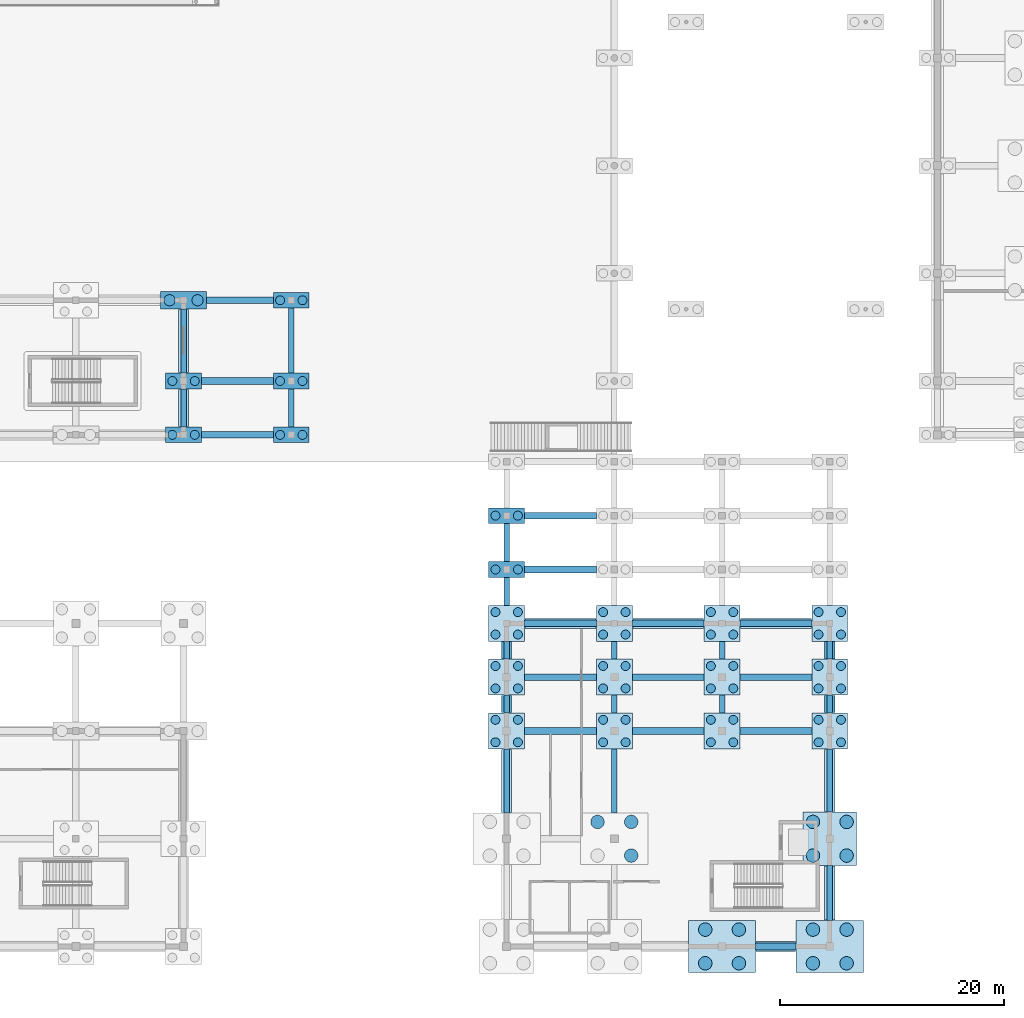
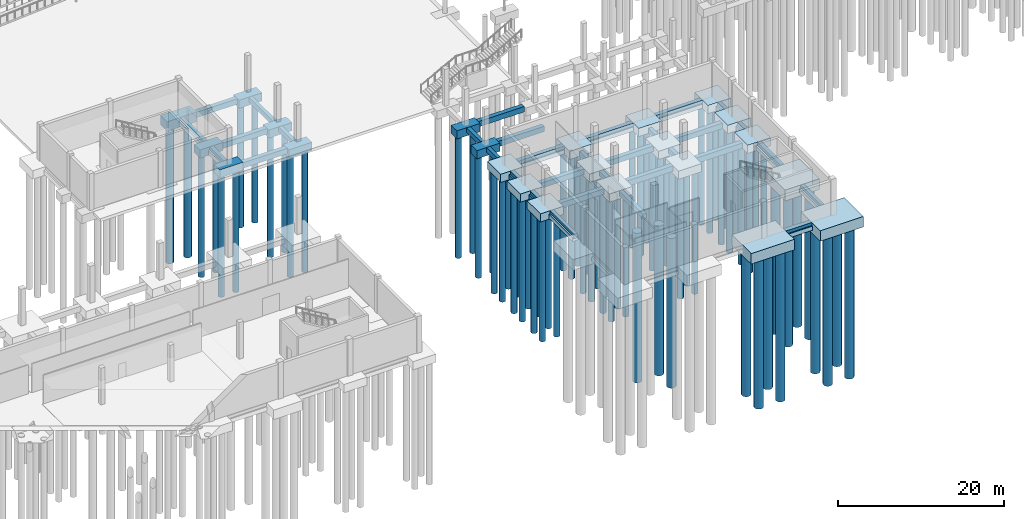
# One storey, part 3 of 41: 79 piles, 69 footings.
"""IFC4 building model written with IfcOpenShell, lengths in metres."""

from ifc_helpers import new_model, si_unit, direction, frame, origin, origin_2d, place, context, subcontext, project, spatial, rectangle, circle, extrude, material, material_profile, profile_set, type_object, element, save


model = new_model("IFC4")

# Units and contexts
model_context = context("Model", 3, precision=1e-05, world=origin(), true_north=direction((0.0, 1.0)))
body_context = subcontext(model_context, "Body", "Model", "MODEL_VIEW")
ifc_project = project(units=[si_unit("LENGTHUNIT", "METRE"), si_unit("AREAUNIT", "SQUARE_METRE"), si_unit("VOLUMEUNIT", "CUBIC_METRE"), si_unit("PLANEANGLEUNIT", "RADIAN"), si_unit("MASSUNIT", "GRAM", prefix="KILO")], contexts=[model_context])

# Site, building, storey
site_placement = place(None, origin())
site = spatial("IfcSite", under=ifc_project, at=site_placement, CompositionType="ELEMENT")
building_placement = place(site_placement, origin())
building = spatial("IfcBuilding", under=site, at=building_placement, Name="Shalvenor Court Art Gallery", CompositionType="ELEMENT")
storey_placement = place(building_placement, frame((0.0, 0.0, -5.39990234375)))
storey = spatial("IfcBuildingStorey", under=building, at=storey_placement, Name="B01", CompositionType="ELEMENT", Elevation=-5.39990234375)

# Footings
ifc_material_1 = material(Name="Concrete C35/45", Category="concrete")
footing_type_1 = type_object("IfcFootingType", Name="GB-01", PredefinedType="FOOTING_BEAM", material=ifc_material_1)
footing_1_placement = place(storey_placement, frame((120.0, 0.0, -0.80029296875), z_axis=(0.0, 0.0, 1.0), x_axis=(1.0, 0.0, 0.0)))
element("IfcFooting", 1, at=footing_1_placement, inside=storey, type_object=footing_type_1, Name="B01 Ground Tie Beam FTG-343", PredefinedType="FOOTING_BEAM", context=body_context, shape_type="SweptSolid", body=[
    extrude(rectangle(XDim=3.60009765625, YDim=0.60009765625, at=origin_2d()), origin(), (0.0, 0.0, 1.0), 0.800048828125),
])
for number, where, z_axis, x_axis, name in (
    (2, (100.800048828125, 19.199951171875, -1.240234375), (0.0, 0.0, 1.0), (1.0, 0.0, 0.0), "B01 Ground Tie Beam FTG-359"),
    (3, (110.39990234375, 19.199951171875, -1.240234375), (0.0, 0.0, 1.0), (1.0, 0.0, 0.0), "B01 Ground Tie Beam FTG-360"),
    (4, (120.0, 19.199951171875, -1.240234375), (0.0, 0.0, 1.0), (1.0, 0.0, 0.0), "B01 Ground Tie Beam FTG-361"),
    (5, (100.800048828125, 24.0, -1.240234375), (0.0, 0.0, 1.0), (1.0, 0.0, 0.0), "B01 Ground Tie Beam FTG-362"),
    (6, (110.39990234375, 24.0, -1.240234375), (0.0, 0.0, 1.0), (1.0, 0.0, 0.0), "B01 Ground Tie Beam FTG-363"),
    (7, (120.0, 24.0, -1.240234375), (0.0, 0.0, 1.0), (1.0, 0.0, 0.0), "B01 Ground Tie Beam FTG-364"),
    (8, (100.800048828125, 28.800048828125, -0.80029296875), (0.0, 0.0, 1.0), (1.0, 0.0, 0.0), "B01 Ground Tie Beam FTG-372"),
    (9, (110.39990234375, 28.800048828125, -0.80029296875), (0.0, 0.0, 1.0), (1.0, 0.0, 0.0), "B01 Ground Tie Beam FTG-373"),
    (10, (120.0, 28.800048828125, -0.80029296875), (0.0, 0.0, 1.0), (1.0, 0.0, 0.0), "B01 Ground Tie Beam FTG-374"),
    (11, (100.800048828125, 33.60009765625, -0.80029296875), (0.0, 0.0, 1.0), (1.0, 0.0, 0.0), "B01 Ground Tie Beam FTG-375"),
    (12, (100.800048828125, 38.39990234375, -0.80029296875), (0.0, 0.0, 1.0), (1.0, 0.0, 0.0), "B01 Ground Tie Beam FTG-378"),
    (13, (72.0, 45.60009765625, -1.22998046875), (0.0, 0.0, 1.0), (1.0, 0.0, 0.0), "B01 Ground Tie Beam FTG-386"),
    (14, (72.0, 50.39990234375, -1.22998046875), (0.0, 0.0, 1.0), (1.0, 0.0, 0.0), "B01 Ground Tie Beam FTG-392"),
):
    element("IfcFooting", number, at=place(storey_placement, frame(where, z_axis=z_axis, x_axis=x_axis)), inside=storey, type_object=footing_type_1, Name=name, PredefinedType="FOOTING_BEAM", context=body_context, shape_type="SweptSolid", body=[
        extrude(rectangle(XDim=6.39990234375, YDim=0.60009765625, at=origin_2d()), origin(), (0.0, 0.0, 1.0), 0.800048828125),
    ])
footing_2_placement = place(storey_placement, frame((72.22509765625, 57.60009765625, -1.22998046875), z_axis=(0.0, 0.0, 1.0), x_axis=(1.0, 0.0, 0.0)))
element("IfcFooting", 15, at=footing_2_placement, inside=storey, type_object=footing_type_1, Name="B01 Ground Tie Beam FTG-400", PredefinedType="FOOTING_BEAM", context=body_context, shape_type="SweptSolid", body=[
    extrude(rectangle(XDim=5.949951171875, YDim=0.60009765625, at=origin_2d()), origin(), (0.0, 0.0, 1.0), 0.800048828125),
])
ifc_material_2 = material(Name="Concrete C35/45", Category="concrete")
footing_type_2 = type_object("IfcFootingType", Name="GB-02", PredefinedType="FOOTING_BEAM", material=ifc_material_2)
footing_3_placement = place(storey_placement, frame((67.199951171875, 48.0, -0.7001953125), z_axis=(0.0, 0.0, 1.0), x_axis=(0.0, 1.0, 0.0)))
element("IfcFooting", 16, at=footing_3_placement, inside=storey, type_object=footing_type_2, Name="B01 Ground Tie Beam FTG-245", PredefinedType="FOOTING_BEAM", context=body_context, shape_type="SweptSolid", body=[
    extrude(rectangle(XDim=3.39990234375, YDim=0.5, at=origin_2d()), origin(), (0.0, 0.0, 1.0), 0.699951171875),
])
footing_4_placement = place(storey_placement, frame((67.199951171875, 53.949951171875, -0.7001953125), z_axis=(0.0, 0.0, 1.0), x_axis=(0.0, 1.0, 0.0)))
element("IfcFooting", 17, at=footing_4_placement, inside=storey, type_object=footing_type_2, Name="B01 Ground Tie Beam FTG-246", PredefinedType="FOOTING_BEAM", context=body_context, shape_type="SweptSolid", body=[
    extrude(rectangle(XDim=5.699951171875, YDim=0.5, at=origin_2d()), origin(), (0.0, 0.0, 1.0), 0.699951171875),
])
footing_5_placement = place(storey_placement, frame((76.800048828125, 48.0, -1.1298828125), z_axis=(0.0, 0.0, 1.0), x_axis=(0.0, 1.0, 0.0)))
element("IfcFooting", 18, at=footing_5_placement, inside=storey, type_object=footing_type_2, Name="B01 Ground Tie Beam FTG-250", PredefinedType="FOOTING_BEAM", context=body_context, shape_type="SweptSolid", body=[
    extrude(rectangle(XDim=3.39990234375, YDim=0.5, at=origin_2d()), origin(), (0.0, 0.0, 1.0), 0.699951171875),
])
footing_6_placement = place(storey_placement, frame((76.800048828125, 54.0, -1.1298828125), z_axis=(0.0, 0.0, 1.0), x_axis=(0.0, 1.0, 0.0)))
element("IfcFooting", 19, at=footing_6_placement, inside=storey, type_object=footing_type_2, Name="B01 Ground Tie Beam FTG-251", PredefinedType="FOOTING_BEAM", context=body_context, shape_type="SweptSolid", body=[
    extrude(rectangle(XDim=5.800048828125, YDim=0.5, at=origin_2d()), origin(), (0.0, 0.0, 1.0), 0.699951171875),
])
footing_7_placement = place(storey_placement, frame((96.0, 14.75, -0.7001953125), z_axis=(0.0, 0.0, 1.0), x_axis=(0.0, 1.0, 0.0)))
element("IfcFooting", 20, at=footing_7_placement, inside=storey, type_object=footing_type_2, Name="B01 Ground Tie Beam FTG-259", PredefinedType="FOOTING_BEAM", context=body_context, shape_type="SweptSolid", body=[
    extrude(rectangle(XDim=5.699951171875, YDim=0.5, at=origin_2d()), origin(), (0.0, 0.0, 1.0), 0.699951171875),
])
for number, where, z_axis, x_axis, name in (
    (21, (96.0, 21.60009765625, -0.7001953125), (0.0, 0.0, 1.0), (0.0, 1.0, 0.0), "B01 Ground Tie Beam FTG-260"),
    (22, (96.0, 26.39990234375, -0.7001953125), (0.0, 0.0, 1.0), (0.0, 1.0, 0.0), "B01 Ground Tie Beam FTG-261"),
):
    element("IfcFooting", number, at=place(storey_placement, frame(where, z_axis=z_axis, x_axis=x_axis)), inside=storey, type_object=footing_type_2, Name=name, PredefinedType="FOOTING_BEAM", context=body_context, shape_type="SweptSolid", body=[
        extrude(rectangle(XDim=1.60009765625, YDim=0.5, at=origin_2d()), origin(), (0.0, 0.0, 1.0), 0.699951171875),
    ])
footing_8_placement = place(storey_placement, frame((96.0, 31.64990234375, -0.7001953125), z_axis=(0.0, 0.0, 1.0), x_axis=(0.0, 1.0, 0.0)))
element("IfcFooting", 23, at=footing_8_placement, inside=storey, type_object=footing_type_2, Name="B01 Ground Tie Beam FTG-262", PredefinedType="FOOTING_BEAM", context=body_context, shape_type="SweptSolid", body=[
    extrude(rectangle(XDim=2.5, YDim=0.5, at=origin_2d()), origin(), (0.0, 0.0, 1.0), 0.699951171875),
])
footing_9_placement = place(storey_placement, frame((96.0, 36.0, -0.7001953125), z_axis=(0.0, 0.0, 1.0), x_axis=(0.0, 1.0, 0.0)))
element("IfcFooting", 24, at=footing_9_placement, inside=storey, type_object=footing_type_2, Name="B01 Ground Tie Beam FTG-263", PredefinedType="FOOTING_BEAM", context=body_context, shape_type="SweptSolid", body=[
    extrude(rectangle(XDim=3.39990234375, YDim=0.5, at=origin_2d()), origin(), (0.0, 0.0, 1.0), 0.699951171875),
])
footing_10_placement = place(storey_placement, frame((105.60009765625, 14.75, -1.14013671875), z_axis=(0.0, 0.0, 1.0), x_axis=(0.0, 1.0, 0.0)))
element("IfcFooting", 25, at=footing_10_placement, inside=storey, type_object=footing_type_2, Name="B01 Ground Tie Beam FTG-269", PredefinedType="FOOTING_BEAM", context=body_context, shape_type="SweptSolid", body=[
    extrude(rectangle(XDim=5.699951171875, YDim=0.5, at=origin_2d()), origin(), (0.0, 0.0, 1.0), 0.699951171875),
])
for number, where, z_axis, x_axis, name in (
    (26, (105.60009765625, 21.60009765625, -1.14013671875), (0.0, 0.0, 1.0), (0.0, 1.0, 0.0), "B01 Ground Tie Beam FTG-270"),
    (27, (105.60009765625, 26.39990234375, -1.14013671875), (0.0, 0.0, 1.0), (0.0, 1.0, 0.0), "B01 Ground Tie Beam FTG-271"),
    (28, (115.199951171875, 21.60009765625, -1.14013671875), (0.0, 0.0, 1.0), (0.0, 1.0, 0.0), "B01 Ground Tie Beam FTG-284"),
    (29, (115.199951171875, 26.39990234375, -1.14013671875), (0.0, 0.0, 1.0), (0.0, 1.0, 0.0), "B01 Ground Tie Beam FTG-285"),
):
    element("IfcFooting", number, at=place(storey_placement, frame(where, z_axis=z_axis, x_axis=x_axis)), inside=storey, type_object=footing_type_2, Name=name, PredefinedType="FOOTING_BEAM", context=body_context, shape_type="SweptSolid", body=[
        extrude(rectangle(XDim=1.60009765625, YDim=0.5, at=origin_2d()), origin(), (0.0, 0.0, 1.0), 0.699951171875),
    ])
footing_11_placement = place(storey_placement, frame((124.800048828125, 4.75, -0.7001953125), z_axis=(0.0, 0.0, 1.0), x_axis=(0.0, 1.0, 0.0)))
element("IfcFooting", 30, at=footing_11_placement, inside=storey, type_object=footing_type_2, Name="B01 Ground Tie Beam FTG-290", PredefinedType="FOOTING_BEAM", context=body_context, shape_type="SweptSolid", body=[
    extrude(rectangle(XDim=4.89990234375, YDim=0.5, at=origin_2d()), origin(), (0.0, 0.0, 1.0), 0.699951171875),
])
footing_12_placement = place(storey_placement, frame((124.800048828125, 14.800048828125, -0.7001953125), z_axis=(0.0, 0.0, 1.0), x_axis=(0.0, 1.0, 0.0)))
element("IfcFooting", 31, at=footing_12_placement, inside=storey, type_object=footing_type_2, Name="B01 Ground Tie Beam FTG-291", PredefinedType="FOOTING_BEAM", context=body_context, shape_type="SweptSolid", body=[
    extrude(rectangle(XDim=5.60009765625, YDim=0.5, at=origin_2d()), origin(), (0.0, 0.0, 1.0), 0.699951171875),
])
for number, where, z_axis, x_axis, name in (
    (32, (124.800048828125, 21.60009765625, -0.7001953125), (0.0, 0.0, 1.0), (0.0, 1.0, 0.0), "B01 Ground Tie Beam FTG-292"),
    (33, (124.800048828125, 26.39990234375, -0.7001953125), (0.0, 0.0, 1.0), (0.0, 1.0, 0.0), "B01 Ground Tie Beam FTG-293"),
):
    element("IfcFooting", number, at=place(storey_placement, frame(where, z_axis=z_axis, x_axis=x_axis)), inside=storey, type_object=footing_type_2, Name=name, PredefinedType="FOOTING_BEAM", context=body_context, shape_type="SweptSolid", body=[
        extrude(rectangle(XDim=1.60009765625, YDim=0.5, at=origin_2d()), origin(), (0.0, 0.0, 1.0), 0.699951171875),
    ])
ifc_material_3 = material(Name="Concrete C35/45", Category="concrete")
footing_type_3 = type_object("IfcFootingType", Name="PC-01", PredefinedType="PILE_CAP", material=ifc_material_3)
for number, where, z_axis, x_axis, name in (
    (34, (67.199951171875, 45.60009765625, -1.2001953125), (0.0, 0.0, 1.0), (1.0, 0.0, 0.0), "B01 Pile Cap FTG-075"),
    (35, (67.199951171875, 50.39990234375, -1.2001953125), (0.0, 0.0, 1.0), (1.0, 0.0, 0.0), "B01 Pile Cap FTG-076"),
    (36, (76.800048828125, 45.60009765625, -1.6298828125), (0.0, 0.0, 1.0), (1.0, 0.0, 0.0), "B01 Pile Cap FTG-082"),
    (37, (76.800048828125, 50.39990234375, -1.6298828125), (0.0, 0.0, 1.0), (1.0, 0.0, 0.0), "B01 Pile Cap FTG-083"),
    (38, (76.800048828125, 57.60009765625, -1.6298828125), (0.0, 0.0, 1.0), (1.0, 0.0, 0.0), "B01 Pile Cap FTG-084"),
    (39, (96.0, 33.60009765625, -1.2001953125), (0.0, 0.0, 1.0), (1.0, 0.0, 0.0), "B01 Pile Cap FTG-098"),
    (40, (96.0, 38.39990234375, -1.2001953125), (0.0, 0.0, 1.0), (1.0, 0.0, 0.0), "B01 Pile Cap FTG-099"),
):
    element("IfcFooting", number, at=place(storey_placement, frame(where, z_axis=z_axis, x_axis=x_axis)), inside=storey, type_object=footing_type_3, Name=name, PredefinedType="PILE_CAP", context=body_context, shape_type="SweptSolid", body=[
        extrude(rectangle(XDim=3.199951171875, YDim=1.39990234375, at=origin_2d()), origin(), (0.0, 0.0, 1.0), 1.199951171875),
    ])
ifc_material_4 = material(Name="Concrete C35/45", Category="concrete")
footing_type_4 = type_object("IfcFootingType", Name="PC-02", PredefinedType="PILE_CAP", material=ifc_material_4)
for number, where, z_axis, x_axis, name in (
    (41, (96.0, 19.199951171875, -1.2001953125), (0.0, 0.0, 1.0), (1.0, 0.0, 0.0), "B01 Pile Cap FTG-095"),
    (42, (96.0, 24.0, -1.2001953125), (0.0, 0.0, 1.0), (1.0, 0.0, 0.0), "B01 Pile Cap FTG-096"),
    (43, (96.0, 28.800048828125, -1.2001953125), (0.0, 0.0, 1.0), (1.0, 0.0, 0.0), "B01 Pile Cap FTG-097"),
    (44, (105.60009765625, 19.199951171875, -1.64013671875), (0.0, 0.0, 1.0), (1.0, 0.0, 0.0), "B01 Pile Cap FTG-107"),
    (45, (105.60009765625, 24.0, -1.64013671875), (0.0, 0.0, 1.0), (1.0, 0.0, 0.0), "B01 Pile Cap FTG-108"),
    (46, (105.60009765625, 28.800048828125, -1.2001953125), (0.0, 0.0, 1.0), (1.0, 0.0, 0.0), "B01 Pile Cap FTG-109"),
    (47, (115.199951171875, 19.199951171875, -1.64013671875), (0.0, 0.0, 1.0), (1.0, 0.0, 0.0), "B01 Pile Cap FTG-123"),
    (48, (115.199951171875, 24.0, -1.64013671875), (0.0, 0.0, 1.0), (1.0, 0.0, 0.0), "B01 Pile Cap FTG-124"),
    (49, (115.199951171875, 28.800048828125, -1.2001953125), (0.0, 0.0, 1.0), (1.0, 0.0, 0.0), "B01 Pile Cap FTG-125"),
    (50, (124.800048828125, 19.199951171875, -1.2001953125), (0.0, 0.0, 1.0), (1.0, 0.0, 0.0), "B01 Pile Cap FTG-134"),
    (51, (124.800048828125, 24.0, -1.2001953125), (0.0, 0.0, 1.0), (1.0, 0.0, 0.0), "B01 Pile Cap FTG-135"),
    (52, (124.800048828125, 28.800048828125, -1.2001953125), (0.0, 0.0, 1.0), (1.0, 0.0, 0.0), "B01 Pile Cap FTG-136"),
):
    element("IfcFooting", number, at=place(storey_placement, frame(where, z_axis=z_axis, x_axis=x_axis)), inside=storey, type_object=footing_type_4, Name=name, PredefinedType="PILE_CAP", context=body_context, shape_type="SweptSolid", body=[
        extrude(rectangle(XDim=3.199951171875, YDim=3.199951171875, at=origin_2d()), origin(), (0.0, 0.0, 1.0), 1.199951171875),
    ])
ifc_material_5 = material(Name="Concrete C35/45", Category="concrete")
footing_type_5 = type_object("IfcFootingType", Name="PC-05", PredefinedType="PILE_CAP", material=ifc_material_5)
footing_13_placement = place(storey_placement, frame((67.199951171875, 57.60009765625, -1.400146484375), z_axis=(0.0, 0.0, 1.0), x_axis=(1.0, 0.0, 0.0)))
element("IfcFooting", 53, at=footing_13_placement, inside=storey, type_object=footing_type_5, Name="B01 Pile Cap FTG-077", PredefinedType="PILE_CAP", context=body_context, shape_type="SweptSolid", body=[
    extrude(rectangle(XDim=4.10009765625, YDim=1.60009765625, at=origin_2d()), origin(), (0.0, 0.0, 1.0), 1.39990234375),
])
ifc_material_6 = material(Name="Concrete C35/45", Category="concrete")
footing_type_6 = type_object("IfcFootingType", Name="PC-08", PredefinedType="PILE_CAP", material=ifc_material_6)
footing_14_placement = place(storey_placement, frame((124.800048828125, 9.60009765625, -1.60009765625), z_axis=(0.0, 0.0, 1.0), x_axis=(1.0, 0.0, 0.0)))
element("IfcFooting", 54, at=footing_14_placement, inside=storey, type_object=footing_type_6, Name="B01 Pile Cap FTG-133", PredefinedType="PILE_CAP", context=body_context, shape_type="SweptSolid", body=[
    extrude(rectangle(XDim=4.800048828125, YDim=4.800048828125, at=origin_2d()), origin(), (0.0, 0.0, 1.0), 1.60009765625),
])
ifc_material_7 = material(Name="Concrete C35/45", Category="concrete")
footing_type_7 = type_object("IfcFootingType", Name="PC-09", PredefinedType="PILE_CAP", material=ifc_material_7)
for number, where, z_axis, x_axis, name in (
    (55, (115.199951171875, 0.0, -1.55029296875), (0.0, 0.0, 1.0), (1.0, 0.0, 0.0), "B01 Pile Cap FTG-122"),
    (56, (124.800048828125, 0.0, -1.55029296875), (0.0, 0.0, 1.0), (1.0, 0.0, 0.0), "B01 Pile Cap FTG-132"),
):
    element("IfcFooting", number, at=place(storey_placement, frame(where, z_axis=z_axis, x_axis=x_axis)), inside=storey, type_object=footing_type_7, Name=name, PredefinedType="PILE_CAP", context=body_context, shape_type="SweptSolid", body=[
        extrude(rectangle(XDim=6.0, YDim=4.60009765625, at=origin_2d()), origin(), (0.0, 0.0, 1.0), 1.550048828125),
    ])

# Piles
ifc_material_8 = material(Name="Concrete C35/45", Category="concrete")
ifc_material_profile_1 = material_profile(ifc_material_8, circle(Radius=0.5, at=origin_2d()), Name="PILE 1000")
ifc_profile_set_1 = profile_set([ifc_material_profile_1], Name="Concrete C35/45")
pile_type_1 = type_object("IfcPileType", Name="PL-1000", PredefinedType="BORED", material=ifc_profile_set_1)
for number, where, z_axis, x_axis, name in (
    (57, (65.949951171875, 57.60009765625, -1.300048828125), (0.0, 0.0, -1.0), (1.0, 0.0, 0.0), "B01 Bored Pile PIL-PL-1000-0259"),
    (58, (68.449951171875, 57.60009765625, -1.300048828125), (0.0, 0.0, -1.0), (1.0, 0.0, 0.0), "B01 Bored Pile PIL-PL-1000-0260"),
):
    element("IfcPile", number, at=place(storey_placement, frame(where, z_axis=z_axis, x_axis=x_axis)), inside=storey, type_object=pile_type_1, Name=name, PredefinedType="BORED", context=body_context, shape_type="SweptSolid", body=[
        extrude(circle(Radius=0.5, at=origin_2d()), origin(), (0.0, 0.0, 1.0), 20.0),
    ])
ifc_material_9 = material(Name="Concrete C35/45", Category="concrete")
ifc_material_profile_2 = material_profile(ifc_material_9, circle(Radius=0.60009765625, at=origin_2d()), Name="PILE 1200")
ifc_profile_set_2 = profile_set([ifc_material_profile_2], Name="Concrete C35/45")
pile_type_2 = type_object("IfcPileType", Name="PL-1200", PredefinedType="BORED", material=ifc_profile_set_2)
for number, where, z_axis, x_axis, name in (
    (59, (107.10009765625, 8.10009765625, -1.89013671875), (0.0, 0.0, -1.0), (1.0, 0.0, 0.0), "B01 Bored Pile PIL-PL-1200-0362"),
    (60, (104.10009765625, 11.10009765625, -1.89013671875), (0.0, 0.0, -1.0), (1.0, 0.0, 0.0), "B01 Bored Pile PIL-PL-1200-0363"),
    (61, (107.10009765625, 11.10009765625, -1.89013671875), (0.0, 0.0, -1.0), (1.0, 0.0, 0.0), "B01 Bored Pile PIL-PL-1200-0364"),
    (62, (113.699951171875, -1.5, -1.4501953125), (0.0, 0.0, -1.0), (1.0, 0.0, 0.0), "B01 Bored Pile PIL-PL-1200-0409"),
    (63, (116.699951171875, -1.5, -1.4501953125), (0.0, 0.0, -1.0), (1.0, 0.0, 0.0), "B01 Bored Pile PIL-PL-1200-0410"),
    (64, (113.699951171875, 1.5, -1.4501953125), (0.0, 0.0, -1.0), (1.0, 0.0, 0.0), "B01 Bored Pile PIL-PL-1200-0411"),
    (65, (116.699951171875, 1.5, -1.4501953125), (0.0, 0.0, -1.0), (1.0, 0.0, 0.0), "B01 Bored Pile PIL-PL-1200-0412"),
    (66, (123.300048828125, -1.5, -1.4501953125), (0.0, 0.0, -1.0), (1.0, 0.0, 0.0), "B01 Bored Pile PIL-PL-1200-0443"),
    (67, (126.300048828125, -1.5, -1.4501953125), (0.0, 0.0, -1.0), (1.0, 0.0, 0.0), "B01 Bored Pile PIL-PL-1200-0444"),
    (68, (123.300048828125, 1.5, -1.4501953125), (0.0, 0.0, -1.0), (1.0, 0.0, 0.0), "B01 Bored Pile PIL-PL-1200-0445"),
    (69, (126.300048828125, 1.5, -1.4501953125), (0.0, 0.0, -1.0), (1.0, 0.0, 0.0), "B01 Bored Pile PIL-PL-1200-0446"),
    (70, (123.300048828125, 8.10009765625, -1.5), (0.0, 0.0, -1.0), (1.0, 0.0, 0.0), "B01 Bored Pile PIL-PL-1200-0447"),
    (71, (126.300048828125, 8.10009765625, -1.5), (0.0, 0.0, -1.0), (1.0, 0.0, 0.0), "B01 Bored Pile PIL-PL-1200-0448"),
    (72, (123.300048828125, 11.10009765625, -1.5), (0.0, 0.0, -1.0), (1.0, 0.0, 0.0), "B01 Bored Pile PIL-PL-1200-0449"),
    (73, (126.300048828125, 11.10009765625, -1.5), (0.0, 0.0, -1.0), (1.0, 0.0, 0.0), "B01 Bored Pile PIL-PL-1200-0450"),
):
    element("IfcPile", number, at=place(storey_placement, frame(where, z_axis=z_axis, x_axis=x_axis)), inside=storey, type_object=pile_type_2, Name=name, PredefinedType="BORED", context=body_context, shape_type="SweptSolid", body=[
        extrude(circle(Radius=0.60009765625, at=origin_2d()), origin(), (0.0, 0.0, 1.0), 22.0),
    ])
ifc_material_10 = material(Name="Concrete C35/45", Category="concrete")
ifc_material_profile_3 = material_profile(ifc_material_10, circle(Radius=0.39990234375, at=origin_2d()), Name="PILE 800")
ifc_profile_set_3 = profile_set([ifc_material_profile_3], Name="Concrete C35/45")
pile_type_3 = type_object("IfcPileType", Name="PL-800", PredefinedType="BORED", material=ifc_profile_set_3)
for number, where, z_axis, x_axis, name in (
    (74, (66.199951171875, 45.60009765625, -1.10009765625), (0.0, 0.0, -1.0), (1.0, 0.0, 0.0), "B01 Bored Pile PIL-PL-800-0255"),
    (75, (68.199951171875, 45.60009765625, -1.10009765625), (0.0, 0.0, -1.0), (1.0, 0.0, 0.0), "B01 Bored Pile PIL-PL-800-0256"),
    (76, (66.199951171875, 50.39990234375, -1.10009765625), (0.0, 0.0, -1.0), (1.0, 0.0, 0.0), "B01 Bored Pile PIL-PL-800-0257"),
    (77, (68.199951171875, 50.39990234375, -1.10009765625), (0.0, 0.0, -1.0), (1.0, 0.0, 0.0), "B01 Bored Pile PIL-PL-800-0258"),
    (78, (75.800048828125, 45.60009765625, -1.530029296875), (0.0, 0.0, -1.0), (1.0, 0.0, 0.0), "B01 Bored Pile PIL-PL-800-0277"),
    (79, (77.800048828125, 45.60009765625, -1.530029296875), (0.0, 0.0, -1.0), (1.0, 0.0, 0.0), "B01 Bored Pile PIL-PL-800-0278"),
    (80, (75.800048828125, 50.39990234375, -1.530029296875), (0.0, 0.0, -1.0), (1.0, 0.0, 0.0), "B01 Bored Pile PIL-PL-800-0279"),
    (81, (77.800048828125, 50.39990234375, -1.530029296875), (0.0, 0.0, -1.0), (1.0, 0.0, 0.0), "B01 Bored Pile PIL-PL-800-0280"),
    (82, (75.800048828125, 57.60009765625, -1.530029296875), (0.0, 0.0, -1.0), (1.0, 0.0, 0.0), "B01 Bored Pile PIL-PL-800-0281"),
    (83, (77.800048828125, 57.60009765625, -1.530029296875), (0.0, 0.0, -1.0), (1.0, 0.0, 0.0), "B01 Bored Pile PIL-PL-800-0282"),
    (84, (95.0, 18.199951171875, -1.10009765625), (0.0, 0.0, -1.0), (1.0, 0.0, 0.0), "B01 Bored Pile PIL-PL-800-0323"),
    (85, (97.0, 18.199951171875, -1.10009765625), (0.0, 0.0, -1.0), (1.0, 0.0, 0.0), "B01 Bored Pile PIL-PL-800-0324"),
    (86, (95.0, 20.199951171875, -1.10009765625), (0.0, 0.0, -1.0), (1.0, 0.0, 0.0), "B01 Bored Pile PIL-PL-800-0325"),
    (87, (97.0, 20.199951171875, -1.10009765625), (0.0, 0.0, -1.0), (1.0, 0.0, 0.0), "B01 Bored Pile PIL-PL-800-0326"),
    (88, (95.0, 23.0, -1.10009765625), (0.0, 0.0, -1.0), (1.0, 0.0, 0.0), "B01 Bored Pile PIL-PL-800-0327"),
    (89, (97.0, 23.0, -1.10009765625), (0.0, 0.0, -1.0), (1.0, 0.0, 0.0), "B01 Bored Pile PIL-PL-800-0328"),
    (90, (95.0, 25.0, -1.10009765625), (0.0, 0.0, -1.0), (1.0, 0.0, 0.0), "B01 Bored Pile PIL-PL-800-0329"),
    (91, (97.0, 25.0, -1.10009765625), (0.0, 0.0, -1.0), (1.0, 0.0, 0.0), "B01 Bored Pile PIL-PL-800-0330"),
    (92, (95.0, 27.800048828125, -1.10009765625), (0.0, 0.0, -1.0), (1.0, 0.0, 0.0), "B01 Bored Pile PIL-PL-800-0331"),
    (93, (97.0, 27.800048828125, -1.10009765625), (0.0, 0.0, -1.0), (1.0, 0.0, 0.0), "B01 Bored Pile PIL-PL-800-0332"),
    (94, (95.0, 29.800048828125, -1.10009765625), (0.0, 0.0, -1.0), (1.0, 0.0, 0.0), "B01 Bored Pile PIL-PL-800-0333"),
    (95, (97.0, 29.800048828125, -1.10009765625), (0.0, 0.0, -1.0), (1.0, 0.0, 0.0), "B01 Bored Pile PIL-PL-800-0334"),
    (96, (95.0, 33.60009765625, -1.10009765625), (0.0, 0.0, -1.0), (1.0, 0.0, 0.0), "B01 Bored Pile PIL-PL-800-0335"),
    (97, (97.0, 33.60009765625, -1.10009765625), (0.0, 0.0, -1.0), (1.0, 0.0, 0.0), "B01 Bored Pile PIL-PL-800-0336"),
    (98, (95.0, 38.39990234375, -1.10009765625), (0.0, 0.0, -1.0), (1.0, 0.0, 0.0), "B01 Bored Pile PIL-PL-800-0337"),
    (99, (97.0, 38.39990234375, -1.10009765625), (0.0, 0.0, -1.0), (1.0, 0.0, 0.0), "B01 Bored Pile PIL-PL-800-0338"),
    (100, (104.60009765625, 18.199951171875, -1.5400390625), (0.0, 0.0, -1.0), (1.0, 0.0, 0.0), "B01 Bored Pile PIL-PL-800-0365"),
    (101, (106.60009765625, 18.199951171875, -1.5400390625), (0.0, 0.0, -1.0), (1.0, 0.0, 0.0), "B01 Bored Pile PIL-PL-800-0366"),
    (102, (104.60009765625, 20.199951171875, -1.5400390625), (0.0, 0.0, -1.0), (1.0, 0.0, 0.0), "B01 Bored Pile PIL-PL-800-0367"),
    (103, (106.60009765625, 20.199951171875, -1.5400390625), (0.0, 0.0, -1.0), (1.0, 0.0, 0.0), "B01 Bored Pile PIL-PL-800-0368"),
    (104, (104.60009765625, 23.0, -1.5400390625), (0.0, 0.0, -1.0), (1.0, 0.0, 0.0), "B01 Bored Pile PIL-PL-800-0369"),
    (105, (106.60009765625, 23.0, -1.5400390625), (0.0, 0.0, -1.0), (1.0, 0.0, 0.0), "B01 Bored Pile PIL-PL-800-0370"),
    (106, (104.60009765625, 25.0, -1.5400390625), (0.0, 0.0, -1.0), (1.0, 0.0, 0.0), "B01 Bored Pile PIL-PL-800-0371"),
    (107, (106.60009765625, 25.0, -1.5400390625), (0.0, 0.0, -1.0), (1.0, 0.0, 0.0), "B01 Bored Pile PIL-PL-800-0372"),
    (108, (104.60009765625, 27.800048828125, -1.10009765625), (0.0, 0.0, -1.0), (1.0, 0.0, 0.0), "B01 Bored Pile PIL-PL-800-0373"),
    (109, (106.60009765625, 27.800048828125, -1.10009765625), (0.0, 0.0, -1.0), (1.0, 0.0, 0.0), "B01 Bored Pile PIL-PL-800-0374"),
    (110, (104.60009765625, 29.800048828125, -1.10009765625), (0.0, 0.0, -1.0), (1.0, 0.0, 0.0), "B01 Bored Pile PIL-PL-800-0375"),
    (111, (106.60009765625, 29.800048828125, -1.10009765625), (0.0, 0.0, -1.0), (1.0, 0.0, 0.0), "B01 Bored Pile PIL-PL-800-0376"),
    (112, (114.199951171875, 18.199951171875, -1.5400390625), (0.0, 0.0, -1.0), (1.0, 0.0, 0.0), "B01 Bored Pile PIL-PL-800-0413"),
    (113, (116.199951171875, 18.199951171875, -1.5400390625), (0.0, 0.0, -1.0), (1.0, 0.0, 0.0), "B01 Bored Pile PIL-PL-800-0414"),
    (114, (114.199951171875, 20.199951171875, -1.5400390625), (0.0, 0.0, -1.0), (1.0, 0.0, 0.0), "B01 Bored Pile PIL-PL-800-0415"),
    (115, (116.199951171875, 20.199951171875, -1.5400390625), (0.0, 0.0, -1.0), (1.0, 0.0, 0.0), "B01 Bored Pile PIL-PL-800-0416"),
    (116, (114.199951171875, 23.0, -1.5400390625), (0.0, 0.0, -1.0), (1.0, 0.0, 0.0), "B01 Bored Pile PIL-PL-800-0417"),
    (117, (116.199951171875, 23.0, -1.5400390625), (0.0, 0.0, -1.0), (1.0, 0.0, 0.0), "B01 Bored Pile PIL-PL-800-0418"),
    (118, (114.199951171875, 25.0, -1.5400390625), (0.0, 0.0, -1.0), (1.0, 0.0, 0.0), "B01 Bored Pile PIL-PL-800-0419"),
    (119, (116.199951171875, 25.0, -1.5400390625), (0.0, 0.0, -1.0), (1.0, 0.0, 0.0), "B01 Bored Pile PIL-PL-800-0420"),
    (120, (114.199951171875, 27.800048828125, -1.10009765625), (0.0, 0.0, -1.0), (1.0, 0.0, 0.0), "B01 Bored Pile PIL-PL-800-0421"),
    (121, (116.199951171875, 27.800048828125, -1.10009765625), (0.0, 0.0, -1.0), (1.0, 0.0, 0.0), "B01 Bored Pile PIL-PL-800-0422"),
    (122, (114.199951171875, 29.800048828125, -1.10009765625), (0.0, 0.0, -1.0), (1.0, 0.0, 0.0), "B01 Bored Pile PIL-PL-800-0423"),
    (123, (116.199951171875, 29.800048828125, -1.10009765625), (0.0, 0.0, -1.0), (1.0, 0.0, 0.0), "B01 Bored Pile PIL-PL-800-0424"),
    (124, (123.800048828125, 18.199951171875, -1.10009765625), (0.0, 0.0, -1.0), (1.0, 0.0, 0.0), "B01 Bored Pile PIL-PL-800-0451"),
    (125, (125.800048828125, 18.199951171875, -1.10009765625), (0.0, 0.0, -1.0), (1.0, 0.0, 0.0), "B01 Bored Pile PIL-PL-800-0452"),
    (126, (123.800048828125, 20.199951171875, -1.10009765625), (0.0, 0.0, -1.0), (1.0, 0.0, 0.0), "B01 Bored Pile PIL-PL-800-0453"),
    (127, (125.800048828125, 20.199951171875, -1.10009765625), (0.0, 0.0, -1.0), (1.0, 0.0, 0.0), "B01 Bored Pile PIL-PL-800-0454"),
    (128, (123.800048828125, 23.0, -1.10009765625), (0.0, 0.0, -1.0), (1.0, 0.0, 0.0), "B01 Bored Pile PIL-PL-800-0455"),
    (129, (125.800048828125, 23.0, -1.10009765625), (0.0, 0.0, -1.0), (1.0, 0.0, 0.0), "B01 Bored Pile PIL-PL-800-0456"),
    (130, (123.800048828125, 25.0, -1.10009765625), (0.0, 0.0, -1.0), (1.0, 0.0, 0.0), "B01 Bored Pile PIL-PL-800-0457"),
    (131, (125.800048828125, 25.0, -1.10009765625), (0.0, 0.0, -1.0), (1.0, 0.0, 0.0), "B01 Bored Pile PIL-PL-800-0458"),
    (132, (123.800048828125, 27.800048828125, -1.10009765625), (0.0, 0.0, -1.0), (1.0, 0.0, 0.0), "B01 Bored Pile PIL-PL-800-0459"),
    (133, (125.800048828125, 27.800048828125, -1.10009765625), (0.0, 0.0, -1.0), (1.0, 0.0, 0.0), "B01 Bored Pile PIL-PL-800-0460"),
    (134, (123.800048828125, 29.800048828125, -1.10009765625), (0.0, 0.0, -1.0), (1.0, 0.0, 0.0), "B01 Bored Pile PIL-PL-800-0461"),
    (135, (125.800048828125, 29.800048828125, -1.10009765625), (0.0, 0.0, -1.0), (1.0, 0.0, 0.0), "B01 Bored Pile PIL-PL-800-0462"),
):
    element("IfcPile", number, at=place(storey_placement, frame(where, z_axis=z_axis, x_axis=x_axis)), inside=storey, type_object=pile_type_3, Name=name, PredefinedType="BORED", context=body_context, shape_type="SweptSolid", body=[
        extrude(circle(Radius=0.39990234375, at=origin_2d()), origin(), (0.0, 0.0, 1.0), 18.0),
    ])

# Footings
ifc_material_11 = material(Name="Concrete C35/45", Category="concrete")
footing_type_8 = type_object("IfcFootingType", Name="SF-01", PredefinedType="STRIP_FOOTING", material=ifc_material_11)
for number, where, z_axis, x_axis, name in (
    (136, (100.800048828125, 28.800048828125, -1.0400390625), (0.0, 0.0, 1.0), (1.0, 0.0, 0.0), "B01 Strip Footing FTG-517"),
    (137, (110.39990234375, 28.800048828125, -1.0400390625), (0.0, 0.0, 1.0), (1.0, 0.0, 0.0), "B01 Strip Footing FTG-518"),
    (138, (120.0, 28.800048828125, -1.0400390625), (0.0, 0.0, 1.0), (1.0, 0.0, 0.0), "B01 Strip Footing FTG-519"),
):
    element("IfcFooting", number, at=place(storey_placement, frame(where, z_axis=z_axis, x_axis=x_axis)), inside=storey, type_object=footing_type_8, Name=name, PredefinedType="STRIP_FOOTING", context=body_context, shape_type="SweptSolid", body=[
        extrude(rectangle(XDim=6.320068359375, YDim=0.89990234375, at=origin_2d()), origin(), (0.0, 0.0, 1.0), 0.60009765625),
    ])
for number, where, z_axis, x_axis, name in (
    (139, (124.800048828125, 26.39990234375, -1.0400390625), (0.0, 0.0, 1.0), (0.0, 1.0, 0.0), "B01 Strip Footing FTG-520"),
    (140, (124.800048828125, 21.60009765625, -1.0400390625), (0.0, 0.0, 1.0), (0.0, 1.0, 0.0), "B01 Strip Footing FTG-521"),
):
    element("IfcFooting", number, at=place(storey_placement, frame(where, z_axis=z_axis, x_axis=x_axis)), inside=storey, type_object=footing_type_8, Name=name, PredefinedType="STRIP_FOOTING", context=body_context, shape_type="SweptSolid", body=[
        extrude(rectangle(XDim=1.52001953125, YDim=0.89990234375, at=origin_2d()), origin(), (0.0, 0.0, 1.0), 0.60009765625),
    ])
footing_15_placement = place(storey_placement, frame((124.800048828125, 14.800048828125, -1.0400390625), z_axis=(0.0, 0.0, 1.0), x_axis=(0.0, 1.0, 0.0)))
element("IfcFooting", 141, at=footing_15_placement, inside=storey, type_object=footing_type_8, Name="B01 Strip Footing FTG-522", PredefinedType="STRIP_FOOTING", context=body_context, shape_type="SweptSolid", body=[
    extrude(rectangle(XDim=5.52001953125, YDim=0.89990234375, at=origin_2d()), origin(), (0.0, 0.0, 1.0), 0.60009765625),
])
footing_16_placement = place(storey_placement, frame((124.800048828125, 4.75, -1.0400390625), z_axis=(0.0, 0.0, 1.0), x_axis=(0.0, 1.0, 0.0)))
element("IfcFooting", 142, at=footing_16_placement, inside=storey, type_object=footing_type_8, Name="B01 Strip Footing FTG-523", PredefinedType="STRIP_FOOTING", context=body_context, shape_type="SweptSolid", body=[
    extrude(rectangle(XDim=4.820068359375, YDim=0.89990234375, at=origin_2d()), origin(), (0.0, 0.0, 1.0), 0.60009765625),
])
footing_17_placement = place(storey_placement, frame((120.0, 0.0, -1.0400390625), z_axis=(0.0, 0.0, 1.0), x_axis=(1.0, 0.0, 0.0)))
element("IfcFooting", 143, at=footing_17_placement, inside=storey, type_object=footing_type_8, Name="B01 Strip Footing FTG-524", PredefinedType="STRIP_FOOTING", context=body_context, shape_type="SweptSolid", body=[
    extrude(rectangle(XDim=3.52001953125, YDim=0.89990234375, at=origin_2d()), origin(), (0.0, 0.0, 1.0), 0.60009765625),
])
footing_18_placement = place(storey_placement, frame((96.0, 14.75, -1.0400390625), z_axis=(0.0, 0.0, 1.0), x_axis=(0.0, 1.0, 0.0)))
element("IfcFooting", 144, at=footing_18_placement, inside=storey, type_object=footing_type_8, Name="B01 Strip Footing FTG-528", PredefinedType="STRIP_FOOTING", context=body_context, shape_type="SweptSolid", body=[
    extrude(rectangle(XDim=5.6201171875, YDim=0.89990234375, at=origin_2d()), origin(), (0.0, 0.0, 1.0), 0.60009765625),
])
for number, where, z_axis, x_axis, name in (
    (145, (96.0, 21.60009765625, -1.0400390625), (0.0, 0.0, 1.0), (0.0, 1.0, 0.0), "B01 Strip Footing FTG-529"),
    (146, (96.0, 26.39990234375, -1.0400390625), (0.0, 0.0, 1.0), (0.0, 1.0, 0.0), "B01 Strip Footing FTG-530"),
):
    element("IfcFooting", number, at=place(storey_placement, frame(where, z_axis=z_axis, x_axis=x_axis)), inside=storey, type_object=footing_type_8, Name=name, PredefinedType="STRIP_FOOTING", context=body_context, shape_type="SweptSolid", body=[
        extrude(rectangle(XDim=1.52001953125, YDim=0.89990234375, at=origin_2d()), origin(), (0.0, 0.0, 1.0), 0.60009765625),
    ])
footing_19_placement = place(storey_placement, frame((67.199951171875, 53.949951171875, -1.030029296875), z_axis=(0.0, 0.0, 1.0), x_axis=(0.0, 1.0, 0.0)))
element("IfcFooting", 147, at=footing_19_placement, inside=storey, type_object=footing_type_8, Name="B01 Strip Footing FTG-561", PredefinedType="STRIP_FOOTING", context=body_context, shape_type="SweptSolid", body=[
    extrude(rectangle(XDim=5.6201171875, YDim=0.89990234375, at=origin_2d()), origin(), (0.0, 0.0, 1.0), 0.60009765625),
])
footing_20_placement = place(storey_placement, frame((67.199951171875, 48.0, -1.030029296875), z_axis=(0.0, 0.0, 1.0), x_axis=(0.0, 1.0, 0.0)))
element("IfcFooting", 148, at=footing_20_placement, inside=storey, type_object=footing_type_8, Name="B01 Strip Footing FTG-562", PredefinedType="STRIP_FOOTING", context=body_context, shape_type="SweptSolid", body=[
    extrude(rectangle(XDim=3.320068359375, YDim=0.89990234375, at=origin_2d()), origin(), (0.0, 0.0, 1.0), 0.60009765625),
])

save(model, "model.ifc")
